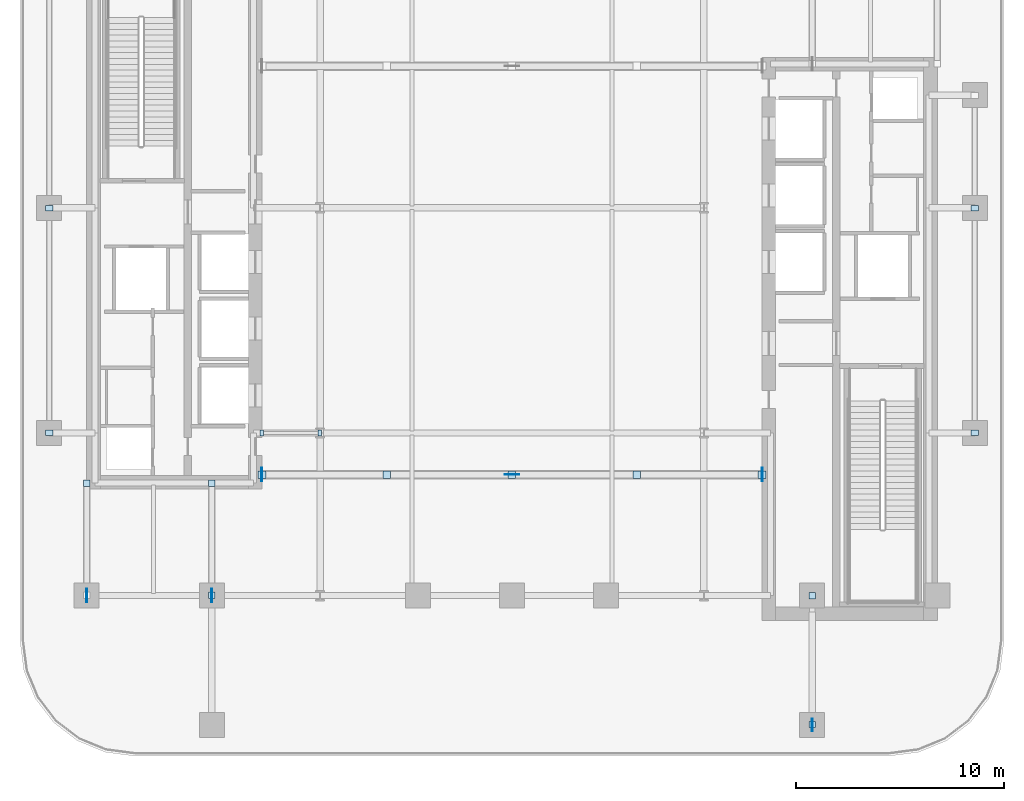
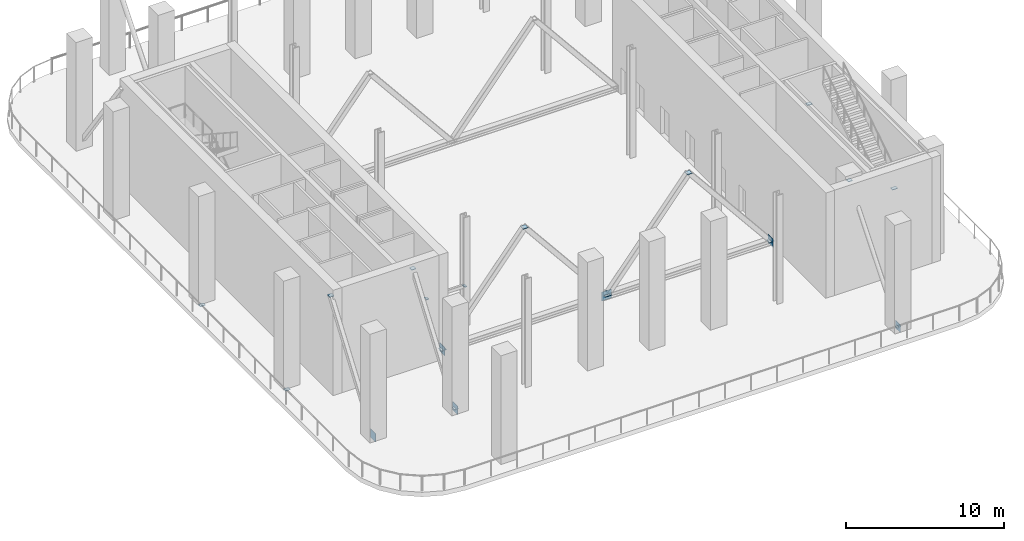
# One storey, part 3 of 13: 22 plates.
"""IFC4 building model written with IfcOpenShell, lengths in metres."""

from ifc_helpers import new_model, si_unit, direction, frame, origin, origin_2d, place, context, subcontext, project, spatial, rectangle, extrude, material, layer, layer_set, type_object, element, save


model = new_model("IFC4")

# Units and contexts
model_context = context("Model", 3, precision=1e-05, world=origin(), true_north=direction((0.0, 1.0)))
body_context = subcontext(model_context, "Body", "Model", "MODEL_VIEW")
ifc_project = project(units=[si_unit("LENGTHUNIT", "METRE"), si_unit("AREAUNIT", "SQUARE_METRE"), si_unit("VOLUMEUNIT", "CUBIC_METRE"), si_unit("PLANEANGLEUNIT", "RADIAN"), si_unit("MASSUNIT", "GRAM", prefix="KILO")], contexts=[model_context])

# Site, building, storey
site_placement = place(None, origin())
site = spatial("IfcSite", under=ifc_project, at=site_placement, CompositionType="ELEMENT")
building_placement = place(site_placement, origin())
building = spatial("IfcBuilding", under=site, at=building_placement, Name="Khairoan Windgate Tower", CompositionType="ELEMENT")
storey_placement = place(building_placement, frame((0.0, 0.0, 152.0)))
storey = spatial("IfcBuildingStorey", under=building, at=storey_placement, Name="L35", CompositionType="ELEMENT", Elevation=152.0)

# Plates
ifc_material_1 = material(Name="Steel S355", Category="steel")
ifc_layer_1 = layer(ifc_material_1, 0.0400390625, Name="Steel S355")
ifc_layer_set_1 = layer_set([ifc_layer_1], Name="Steel S355")
plate_type_1 = type_object("IfcPlateType", Name="Hollow Section End-Cap Plate PL-CAP40", PredefinedType="SHEET", material=ifc_layer_set_1)
for number, where, z_axis, x_axis, name in (
    (1, (-22.199951171875, -10.784912109375, -0.544921875), (0.0, 0.0, 1.0), (0.0, 1.0, 0.0), "BM-SP-L35-034 steel end-cap plate 1"),
    (2, (-22.199951171875, -0.014892578125, -0.544921875), (0.0, 0.0, 1.0), (0.0, 1.0, 0.0), "BM-SP-L35-034 steel end-cap plate 2"),
    (3, (22.199951171875, -10.784912109375, -0.544921875), (0.0, 0.0, 1.0), (0.0, 1.0, 0.0), "BM-SP-L35-062 steel end-cap plate 1"),
    (4, (22.199951171875, -0.014892578125, -0.544921875), (0.0, 0.0, 1.0), (0.0, 1.0, 0.0), "BM-SP-L35-062 steel end-cap plate 2"),
):
    element("IfcPlate", number, at=place(storey_placement, frame(where, z_axis=z_axis, x_axis=x_axis)), inside=storey, type_object=plate_type_1, Name=name, PredefinedType="SHEET", context=body_context, shape_type="SweptSolid", body=[
        extrude(rectangle(XDim=0.27001953125, YDim=0.3701171875, at=origin_2d()), origin(), (0.0, 0.0, 1.0), 0.0400390625),
    ])
for number, where, z_axis, x_axis, name in (
    (5, (-12.0048828125, -10.800048828125, 2.929931640625), (0.0, 0.0, 1.0), (1.0, 0.0, 0.0), "BM-LINTEL-L35 steel end-cap plate 1"),
    (6, (-9.215087890625, -10.800048828125, 2.929931640625), (0.0, 0.0, 1.0), (1.0, 0.0, 0.0), "BM-LINTEL-L35 steel end-cap plate 2"),
):
    element("IfcPlate", number, at=place(storey_placement, frame(where, z_axis=z_axis, x_axis=x_axis)), inside=storey, type_object=plate_type_1, Name=name, PredefinedType="SHEET", context=body_context, shape_type="SweptSolid", body=[
        extrude(rectangle(XDim=0.169921875, YDim=0.27001953125, at=origin_2d()), origin(), (0.0, 0.0, 1.0), 0.0400390625),
    ])
for number, where, z_axis, x_axis, name in (
    (7, (-11.990478515625, -12.800048828125, 0.211669921875), (0.0, 0.0, 1.0), (1.0, 0.0, 0.0), "BR-OT-L35-01 steel end-cap plate 1"),
    (8, (-6.009521484375, -12.800048828125, 7.558349609375), (0.0, 0.0, 1.0), (1.0, 0.0, 0.0), "BR-OT-L35-01 steel end-cap plate 2"),
    (9, (-0.009521484375, -12.800048828125, 0.211669921875), (0.0, 0.0, 1.0), (1.0, 0.0, 0.0), "BR-OT-L35-02 steel end-cap plate 2"),
    (10, (5.990478515625, -12.800048828125, 7.558349609375), (0.0, 0.0, 1.0), (1.0, 0.0, 0.0), "BR-OT-L35-03 steel end-cap plate 2"),
    (11, (11.990478515625, -12.800048828125, 0.211669921875), (0.0, 0.0, 1.0), (1.0, 0.0, 0.0), "BR-OT-L35-04 steel end-cap plate 2"),
):
    element("IfcPlate", number, at=place(storey_placement, frame(where, z_axis=z_axis, x_axis=x_axis)), inside=storey, type_object=plate_type_1, Name=name, PredefinedType="SHEET", context=body_context, shape_type="SweptSolid", body=[
        extrude(rectangle(XDim=0.3701171875, YDim=0.3701171875, at=origin_2d()), origin(), (0.0, 0.0, 1.0), 0.0400390625),
    ])
for number, where, z_axis, x_axis, name in (
    (12, (-20.39990234375, -13.208740234375, 7.557861328125), (0.0, 0.0, 1.0), (0.0, 1.0, 0.0), "BR-BT-L35-01 steel end-cap plate 2"),
    (13, (-14.39990234375, -18.59130859375, 0.01220703125), (0.0, 0.0, 1.0), (0.0, 1.0, 0.0), "BR-BT-L35-03 steel end-cap plate 1"),
    (14, (-14.39990234375, -13.208740234375, 7.557861328125), (0.0, 0.0, 1.0), (0.0, 1.0, 0.0), "BR-BT-L35-03 steel end-cap plate 2"),
):
    element("IfcPlate", number, at=place(storey_placement, frame(where, z_axis=z_axis, x_axis=x_axis)), inside=storey, type_object=plate_type_1, Name=name, PredefinedType="SHEET", context=body_context, shape_type="SweptSolid", body=[
        extrude(rectangle(XDim=0.320068359375, YDim=0.320068359375, at=origin_2d()), origin(), (0.0, 0.0, 1.0), 0.0400390625),
    ])
for number, where, z_axis, x_axis, name in (
    (15, (14.39990234375, -24.79052734375, 0.011474609375), (0.0, 0.0, 1.0), (0.0, 1.0, 0.0), "BR-CN-1-L35 steel end-cap plate 1"),
    (16, (14.39990234375, -18.609619140625, 7.558349609375), (0.0, 0.0, 1.0), (0.0, 1.0, 0.0), "BR-CN-1-L35 steel end-cap plate 2"),
):
    element("IfcPlate", number, at=place(storey_placement, frame(where, z_axis=z_axis, x_axis=x_axis)), inside=storey, type_object=plate_type_1, Name=name, PredefinedType="SHEET", context=body_context, shape_type="SweptSolid", body=[
        extrude(rectangle(XDim=0.29296875, YDim=0.29296875, at=origin_2d()), origin(), (0.0, 0.0, 1.0), 0.0400390625),
    ])
ifc_material_2 = material(Name="Steel S355", Category="steel")
ifc_layer_2 = layer(ifc_material_2, 0.031982421875, Name="Steel S355")
ifc_layer_set_2 = layer_set([ifc_layer_2], Name="Steel S355")
plate_type_2 = type_object("IfcPlateType", Name="Outrigger Node Gusset Plate PL-GUS32", PredefinedType="SHEET", material=ifc_layer_set_2)
for number, where, z_axis, x_axis, name in (
    (17, (-12.0, -12.800048828125, -0.10498046875), (0.0, 0.0, 1.0), (1.0, 0.0, 0.0), "L35 Outrigger Chord West End Gusset"),
    (18, (12.0, -12.800048828125, -0.10498046875), (0.0, 0.0, 1.0), (1.0, 0.0, 0.0), "L35 Outrigger Chord East End Gusset"),
):
    element("IfcPlate", number, at=place(storey_placement, frame(where, z_axis=z_axis, x_axis=x_axis)), inside=storey, type_object=plate_type_2, Name=name, PredefinedType="SHEET", context=body_context, shape_type="SweptSolid", body=[
        extrude(rectangle(XDim=0.031982421875, YDim=0.64990234375, at=origin_2d()), origin(), (0.0, 0.0, 1.0), 0.64990234375),
    ])
plate_1_placement = place(storey_placement, frame((0.0, -12.800048828125, -0.1201171875), z_axis=(0.0, 0.0, 1.0), x_axis=(1.0, 0.0, 0.0)))
element("IfcPlate", 19, at=plate_1_placement, inside=storey, type_object=plate_type_2, Name="L35 Outrigger Brace End Gusset 02", PredefinedType="SHEET", context=body_context, shape_type="SweptSolid", body=[
    extrude(rectangle(XDim=0.679931640625, YDim=0.031982421875, at=origin_2d()), origin(), (0.0, 0.0, 1.0), 0.679931640625),
])
for number, where, z_axis, x_axis, name in (
    (20, (-20.39990234375, -18.60009765625, -0.304931640625), (0.0, 0.0, 1.0), (1.0, 0.0, 0.0), "L35 Belt Brace Start Gusset 01"),
    (21, (-14.39990234375, -18.60009765625, -0.304931640625), (0.0, 0.0, 1.0), (1.0, 0.0, 0.0), "L35 Belt Brace Start Gusset 03"),
):
    element("IfcPlate", number, at=place(storey_placement, frame(where, z_axis=z_axis, x_axis=x_axis)), inside=storey, type_object=plate_type_2, Name=name, PredefinedType="SHEET", context=body_context, shape_type="SweptSolid", body=[
        extrude(rectangle(XDim=0.031982421875, YDim=0.64990234375, at=origin_2d()), origin(), (0.0, 0.0, 1.0), 0.64990234375),
    ])
plate_2_placement = place(storey_placement, frame((14.39990234375, -24.800048828125, -0.280029296875), z_axis=(0.0, 0.0, 1.0), x_axis=(1.0, 0.0, 0.0)))
element("IfcPlate", 22, at=plate_2_placement, inside=storey, type_object=plate_type_2, Name="BR-CN-1-L35 Start Gusset", PredefinedType="SHEET", context=body_context, shape_type="SweptSolid", body=[
    extrude(rectangle(XDim=0.031982421875, YDim=0.60009765625, at=origin_2d()), origin(), (0.0, 0.0, 1.0), 0.60009765625),
])

save(model, "model.ifc")
